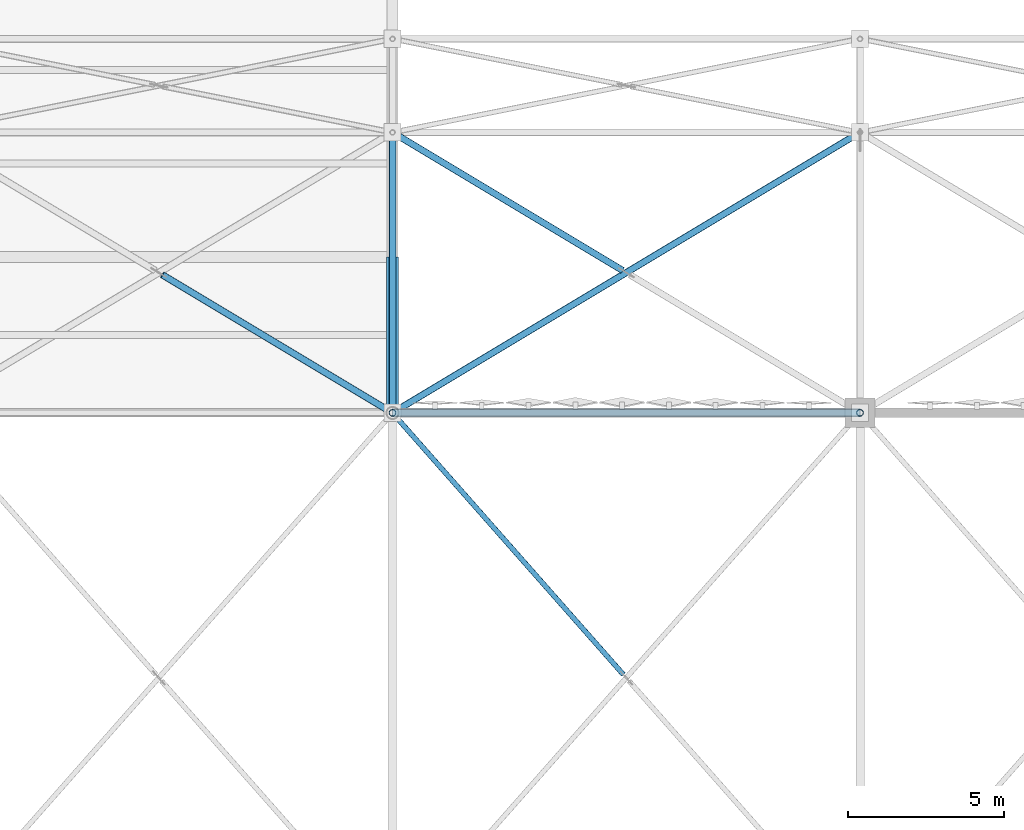
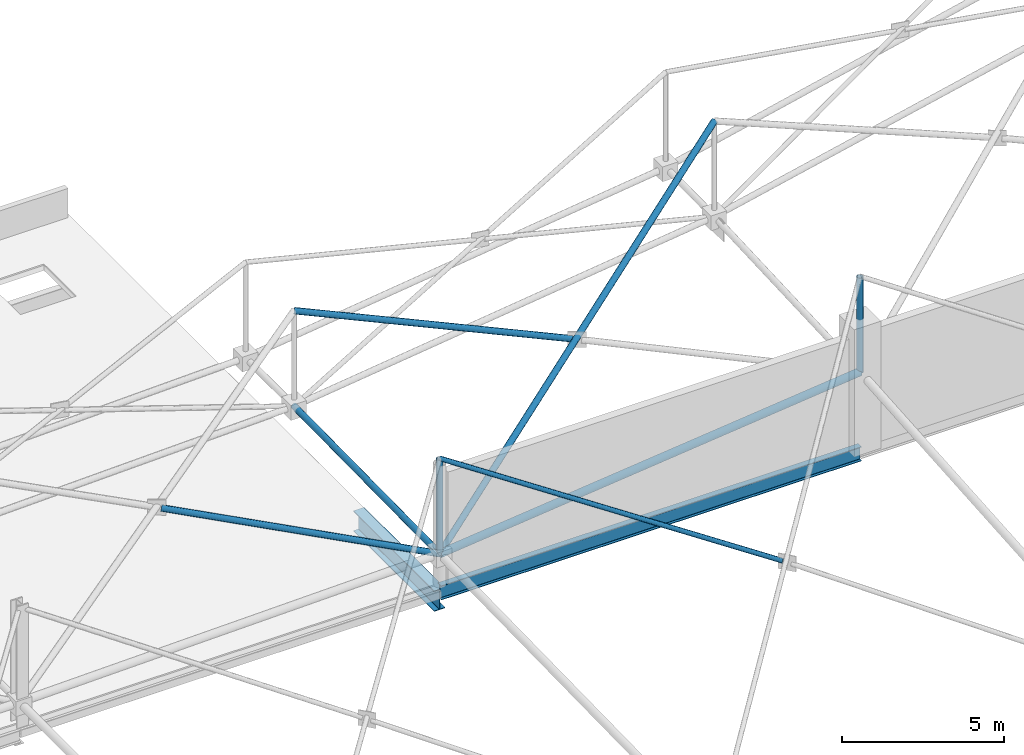
# One storey, part 117 of 224: 8 members, 2 beams.
"""IFC4 building model written with IfcOpenShell, lengths in metres."""

from ifc_helpers import new_model, si_unit, direction, frame, origin, origin_2d, place, context, subcontext, project, spatial, hollow_circle, i_section, extrude, material, material_profile, profile_set, type_object, element, save


model = new_model("IFC4")

# Units and contexts
model_context = context("Model", 3, precision=1e-05, world=origin(), true_north=direction((0.0, 1.0)))
body_context = subcontext(model_context, "Body", "Model", "MODEL_VIEW")
ifc_project = project(units=[si_unit("LENGTHUNIT", "METRE"), si_unit("AREAUNIT", "SQUARE_METRE"), si_unit("VOLUMEUNIT", "CUBIC_METRE"), si_unit("PLANEANGLEUNIT", "RADIAN"), si_unit("MASSUNIT", "GRAM", prefix="KILO")], contexts=[model_context])

# Site, building, storey
site_placement = place(None, origin())
site = spatial("IfcSite", under=ifc_project, at=site_placement, CompositionType="ELEMENT")
building_placement = place(site_placement, origin())
building = spatial("IfcBuilding", under=site, at=building_placement, Name="Qamarlyn Nura Convention Centre", CompositionType="ELEMENT")
storey_placement = place(building_placement, frame((0.0, 0.0, 10.800048828125)))
storey = spatial("IfcBuildingStorey", under=building, at=storey_placement, Name="L02", CompositionType="ELEMENT", Elevation=10.800048828125)

# Beams
ifc_material_1 = material(Name="Steel ASTM A992", Category="steel")
ifc_material_profile_1 = material_profile(ifc_material_1, i_section(OverallWidth=0.381103515625, OverallDepth=0.77294921875, WebThickness=0.0166015625, FlangeThickness=0.027587890625, FilletRadius=0.02001953125, at=origin_2d()), Name="W760X257")
ifc_profile_set_1 = profile_set([ifc_material_profile_1], Name="Steel ASTM A992")
beam_type_1 = type_object("IfcBeamType", Name="BM-GIRD-760", PredefinedType="BEAM", material=ifc_profile_set_1)
beam_1_placement = place(storey_placement, frame((90.0, 103.0, -0.58154296875), z_axis=(0.0, 1.0, 0.0), x_axis=(-1.0, 0.0, 0.0)))
element("IfcBeam", 1, at=beam_1_placement, inside=storey, type_object=beam_type_1, Name="L02 girder 7 M-N", PredefinedType="BEAM", context=body_context, shape_type="SweptSolid", body=[
    extrude(i_section(OverallWidth=0.381103515625, OverallDepth=0.77294921875, WebThickness=0.0166015625, FlangeThickness=0.027587890625, FilletRadius=0.02001953125, at=origin_2d()), origin(), (0.0, 0.0, 1.0), 5.0),
])
ifc_material_profile_2 = material_profile(ifc_material_1, i_section(OverallWidth=0.2109375, OverallDepth=0.5390625, WebThickness=0.01171875, FlangeThickness=0.018798828125, FilletRadius=0.013916015625, at=origin_2d()), Name="W530X109")
ifc_profile_set_2 = profile_set([ifc_material_profile_2], Name="Steel ASTM A992")
beam_type_2 = type_object("IfcBeamType", Name="BM-SPAN-530", PredefinedType="SPANDREL", material=ifc_profile_set_2)
beam_2_placement = place(storey_placement, frame((90.0, 103.0, -0.26953125), z_axis=(1.0, 0.0, 0.0), x_axis=(0.0, 1.0, 0.0)))
element("IfcBeam", 2, at=beam_2_placement, inside=storey, type_object=beam_type_2, Name="L02 girder M 7-8", PredefinedType="SPANDREL", context=body_context, shape_type="SweptSolid", body=[
    extrude(i_section(OverallWidth=0.2109375, OverallDepth=0.5390625, WebThickness=0.01171875, FlangeThickness=0.018798828125, FilletRadius=0.013916015625, at=origin_2d()), origin(), (0.0, 0.0, 1.0), 15.0),
])

# Members
ifc_material_2 = material(Name="Pearl-white PVDF steel ASTM A500 Grade C", Category="steel")
ifc_material_profile_3 = material_profile(ifc_material_2, hollow_circle(Radius=0.109619140625, WallThickness=0.010009765625, at=origin_2d()), Name="CHS219.1X10")
ifc_profile_set_3 = profile_set([ifc_material_profile_3], Name="Pearl-white PVDF steel ASTM A500 Grade C")
member_type_1 = type_object("IfcMemberType", Name="SF-BC-EAVE", PredefinedType="CHORD", material=ifc_profile_set_3)
member_1_placement = place(storey_placement, frame((90.0, 103.0, 1.150634765625), z_axis=(0.0, 0.999918388054, 0.012775649978), x_axis=(-1.0, 0.0, 0.0)))
element("IfcMember", 3, at=member_1_placement, inside=storey, type_object=member_type_1, Name="ROOF TRUSS space frame bottom chord Y8-7", PredefinedType="CHORD", context=body_context, shape_type="SweptSolid", body=[
    extrude(hollow_circle(Radius=0.109619140625, WallThickness=0.010009765625, at=origin_2d()), origin(), (0.0, 0.0, 1.0), 9.000732421875),
])
ifc_material_profile_4 = material_profile(ifc_material_2, hollow_circle(Radius=0.136474609375, WallThickness=0.012451171875, at=origin_2d()), Name="CHS273X12.5")
ifc_profile_set_4 = profile_set([ifc_material_profile_4], Name="Pearl-white PVDF steel ASTM A500 Grade C")
member_type_2 = type_object("IfcMemberType", Name="SF-BC-MAIN", PredefinedType="CHORD", material=ifc_profile_set_4)
member_2_placement = place(storey_placement, frame((90.0, 103.0, 1.150634765625), z_axis=(0.994233236625, 0.0, 0.107239317368), x_axis=(0.0, 1.0, 0.0)))
element("IfcMember", 4, at=member_2_placement, inside=storey, type_object=member_type_2, Name="ROOF TRUSS space frame bottom chord X8-7", PredefinedType="CHORD", context=body_context, shape_type="SweptSolid", body=[
    extrude(hollow_circle(Radius=0.136474609375, WallThickness=0.012451171875, at=origin_2d()), origin(), (0.0, 0.0, 1.0), 15.0869140625),
])
ifc_material_profile_5 = material_profile(ifc_material_2, hollow_circle(Radius=0.109619140625, WallThickness=0.010009765625, at=origin_2d()), Name="CHS219.1X10")
ifc_profile_set_5 = profile_set([ifc_material_profile_5], Name="Pearl-white PVDF steel ASTM A500 Grade C")
member_type_3 = type_object("IfcMemberType", Name="SF-WEB-HVY", PredefinedType="BRACE", material=ifc_profile_set_5)
member_3_placement = place(storey_placement, frame((90.0, 103.0, 1.150634765625), z_axis=(-0.84256340523, 0.505532470076, 0.185805892981), x_axis=(-0.514491584959, -0.85749542798, 0.0)))
element("IfcMember", 5, at=member_3_placement, inside=storey, type_object=member_type_3, Name="ROOF TRUSS space frame split diagonal B1 7-7", PredefinedType="BRACE", context=body_context, shape_type="SweptSolid", body=[
    extrude(hollow_circle(Radius=0.109619140625, WallThickness=0.010009765625, at=origin_2d()), origin(), (0.0, 0.0, 1.0), 8.761474609375),
])
member_4_placement = place(storey_placement, frame((90.0, 103.0, 1.150634765625), z_axis=(0.0, 0.0, 1.0), x_axis=(1.0, 0.0, 0.0)))
element("IfcMember", 6, at=member_4_placement, inside=storey, type_object=member_type_3, Name="ROOF TRUSS space frame vertical 8-7", PredefinedType="BRACE", context=body_context, shape_type="SweptSolid", body=[
    extrude(hollow_circle(Radius=0.109619140625, WallThickness=0.010009765625, at=origin_2d()), origin(), (0.0, 0.0, 1.0), 3.599853515625),
])
member_5_placement = place(storey_placement, frame((90.0, 103.0, 1.150634765625), z_axis=(0.816396233175, 0.489837739905, 0.305869545759), x_axis=(-0.514495755428, 0.857492925713, 0.0)))
element("IfcMember", 7, at=member_5_placement, inside=storey, type_object=member_type_3, Name="ROOF TRUSS space frame diagonal A 8-7", PredefinedType="BRACE", context=body_context, shape_type="SweptSolid", body=[
    extrude(hollow_circle(Radius=0.109619140625, WallThickness=0.010009765625, at=origin_2d()), origin(), (0.0, 0.0, 1.0), 18.37353515625),
])
member_6_placement = place(storey_placement, frame((97.380859375, 107.571533203125, 3.905517578125), z_axis=(-0.852209161556, 0.511319859138, 0.110867247698), x_axis=(-0.514491584269, -0.857495428394, 0.0)))
element("IfcMember", 8, at=member_6_placement, inside=storey, type_object=member_type_3, Name="ROOF TRUSS space frame split diagonal B2 8-7", PredefinedType="BRACE", context=body_context, shape_type="SweptSolid", body=[
    extrude(hollow_circle(Radius=0.109619140625, WallThickness=0.010009765625, at=origin_2d()), origin(), (0.0, 0.0, 1.0), 8.660888671875),
])
member_7_placement = place(storey_placement, frame((105.0, 103.0, 2.7685546875), z_axis=(0.0, 0.0, 1.0), x_axis=(1.0, 0.0, 0.0)))
element("IfcMember", 9, at=member_7_placement, inside=storey, type_object=member_type_3, Name="ROOF TRUSS space frame vertical 9-7", PredefinedType="BRACE", context=body_context, shape_type="SweptSolid", body=[
    extrude(hollow_circle(Radius=0.109619140625, WallThickness=0.010009765625, at=origin_2d()), origin(), (0.0, 0.0, 1.0), 3.60009765625),
])
ifc_material_profile_6 = material_profile(ifc_material_2, hollow_circle(Radius=0.084228515625, WallThickness=0.008056640625, at=origin_2d()), Name="CHS168.3X8")
ifc_profile_set_6 = profile_set([ifc_material_profile_6], Name="Pearl-white PVDF steel ASTM A500 Grade C")
member_type_4 = type_object("IfcMemberType", Name="SF-WEB-STD", PredefinedType="BRACE", material=ifc_profile_set_6)
member_8_placement = place(storey_placement, frame((97.408203125, 94.60400390625, 3.377197265625), z_axis=(-0.656699465247, 0.744262279523, 0.121735252176), x_axis=(-0.74983912797, -0.661620194799, 0.0)))
element("IfcMember", 10, at=member_8_placement, inside=storey, type_object=member_type_4, Name="ROOF TRUSS space frame split diagonal B2 8-6", PredefinedType="BRACE", context=body_context, shape_type="SweptSolid", body=[
    extrude(hollow_circle(Radius=0.084228515625, WallThickness=0.008056640625, at=origin_2d()), origin(), (0.0, 0.0, 1.0), 11.281005859375),
])

save(model, "model.ifc")
